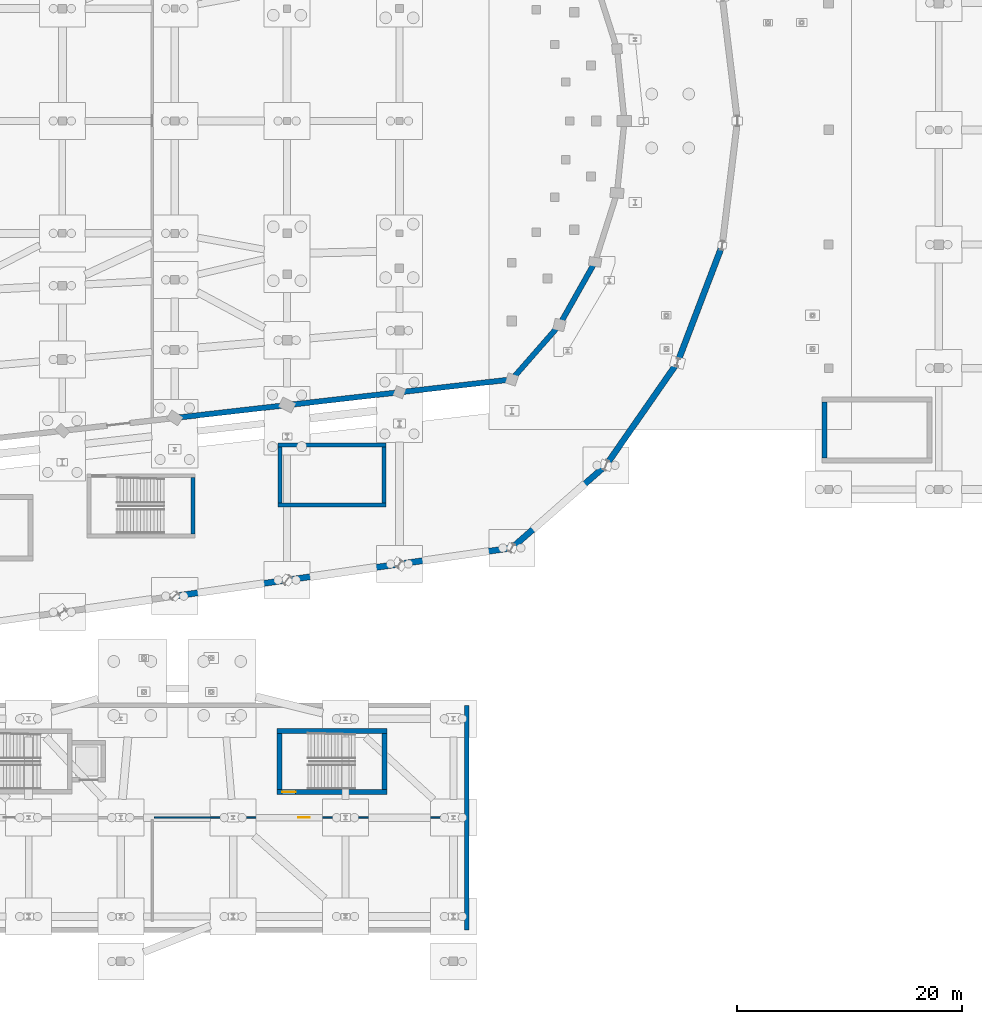
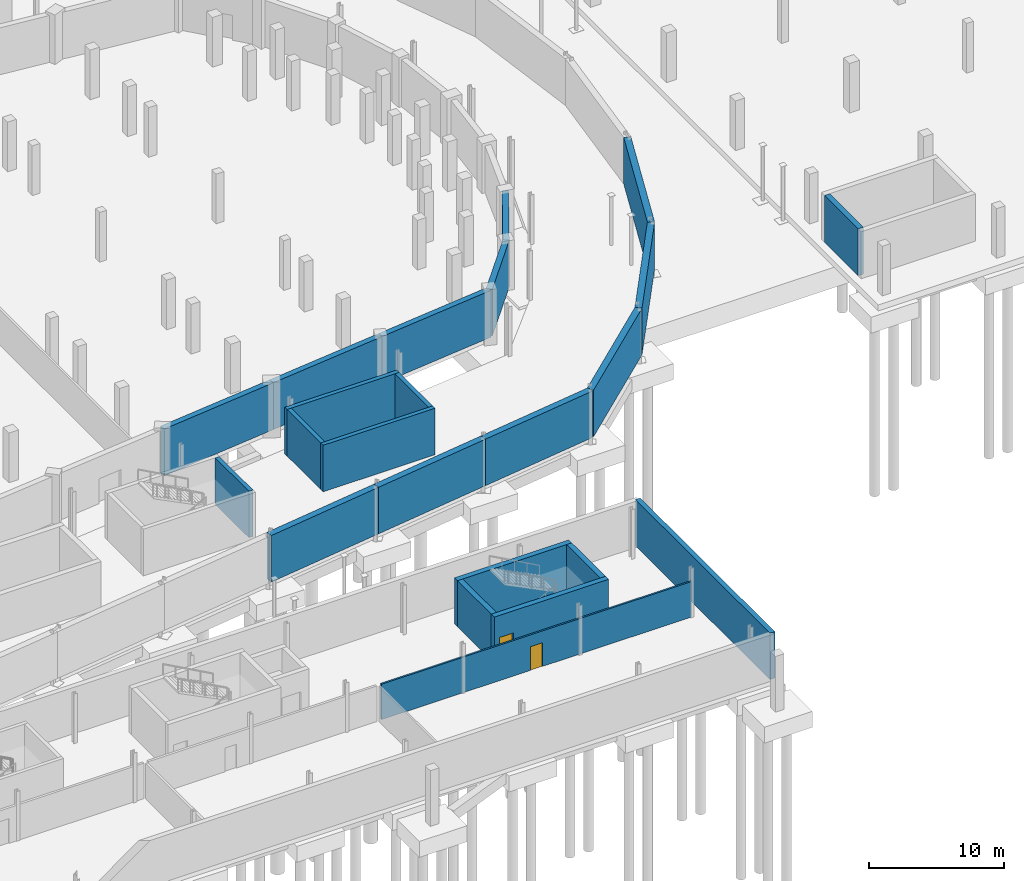
# One storey, part 49 of 55: 23 walls, 2 doors, 2 openings.
"""IFC4 building model written with IfcOpenShell, lengths in metres."""

from ifc_helpers import new_model, si_unit, direction, frame, frame_2d, origin, place, context, subcontext, project, spatial, rectangle, extrude, material, layer, layer_set, type_object, element, fill, save


model = new_model("IFC4")

# Units and contexts
model_context = context("Model", 3, precision=1e-05, world=origin(), true_north=direction((0.0, 1.0)))
body_context = subcontext(model_context, "Body", "Model", "MODEL_VIEW")
ifc_project = project(units=[si_unit("LENGTHUNIT", "METRE"), si_unit("AREAUNIT", "SQUARE_METRE"), si_unit("VOLUMEUNIT", "CUBIC_METRE"), si_unit("PLANEANGLEUNIT", "RADIAN"), si_unit("MASSUNIT", "GRAM", prefix="KILO")], contexts=[model_context])

# Site, building, storey
site_placement = place(None, origin())
site = spatial("IfcSite", under=ifc_project, at=site_placement, CompositionType="ELEMENT")
building_placement = place(site_placement, origin())
building = spatial("IfcBuilding", under=site, at=building_placement, Name="Sohan Crest Arena", CompositionType="ELEMENT")
storey_placement = place(building_placement, frame((0.0, 0.0, -4.5)))
storey = spatial("IfcBuildingStorey", under=building, at=storey_placement, Name="B1", CompositionType="ELEMENT", Elevation=-4.5)

# Wall, opening, door
ifc_material_1 = material(Name="Wet-area moisture-resistant masonry partition", Category="masonry")
ifc_layer_1 = layer(ifc_material_1, 0.14990234375, Name="Wet-area moisture-resistant masonry partition")
ifc_layer_set_1 = layer_set([ifc_layer_1], Name="Wet-area moisture-resistant masonry partition")
wall_type_1 = type_object("IfcWallType", Name="WAL-PW03", PredefinedType="PARTITIONING", material=ifc_layer_set_1)
wall_1_placement = place(storey_placement, frame((136.199951171875, 16.0, 0.0), z_axis=(0.0, 0.0, 1.0), x_axis=(1.0, 0.0, 0.0)))
wall_1 = element("IfcWall", 1, at=wall_1_placement, inside=storey, type_object=wall_type_1, Name="Interior partition wall PW-0837", PredefinedType="PARTITIONING", context=body_context, shape_type="SweptSolid", body=[
    extrude(rectangle(XDim=26.60009765625, YDim=0.14990234375, at=frame_2d((13.300048828125, 0.0))), origin(), (0.0, 0.0, 1.0), 3.219970703125),
])
opening_1_placement = place(wall_1_placement, frame((12.7900390625, 0.0, 0.0)))
opening_1 = element("IfcOpeningElement", 2, at=opening_1_placement, cuts=wall_1, Name="Opening WC-0228", PredefinedType="OPENING", context=body_context, shape_type="SweptSolid", body=[
    extrude(rectangle(XDim=1.02001953125, YDim=2.14990234375, at=frame_2d((0.510009765625, 1.074951171875))), frame((0.0, 0.0849609375, 0.0), z_axis=(0.0, -1.0, 0.0), x_axis=(1.0, 0.0, 0.0)), (0.0, 0.0, 1.0), 0.169921875),
])
ifc_material_2 = material(Name="Accessible toilet and dressing room door", Category="wood")
door_type_1 = type_object("IfcDoorType", Name="DR-ID03", OperationType="NOTDEFINED", PredefinedType="DOOR", material=ifc_material_2)
door_1_placement = place(opening_1_placement, origin())
door_1 = element("IfcDoor", 3, at=door_1_placement, inside=storey, type_object=door_type_1, Name="Accessible toilet door WC-0228", OperationType="SINGLE_SWING_LEFT", OverallHeight=2.14990234375, OverallWidth=1.02001953125, PredefinedType="DOOR", context=body_context, shape_type="SweptSolid", body=[
    extrude(rectangle(XDim=1.02001953125, YDim=2.14990234375, at=frame_2d((0.510009765625, 1.074951171875))), frame((0.0, 0.02490234375, 0.0), z_axis=(0.0, -1.0, 0.0), x_axis=(1.0, 0.0, 0.0)), (0.0, 0.0, 1.0), 0.050048828125),
])
fill(opening_1, door_1)

# Walls
ifc_material_3 = material(Name="Concrete C40/50", Category="concrete")
ifc_layer_2 = layer(ifc_material_3, 0.419921875, Name="Concrete C40/50")
ifc_layer_set_2 = layer_set([ifc_layer_2], Name="Concrete C40/50")
wall_type_2 = type_object("IfcWallType", Name="WAL-RW01", PredefinedType="USERDEFINED", material=ifc_layer_set_2)
wall_2_placement = place(storey_placement, frame((164.0, 6.0, 0.0), z_axis=(0.0, 0.0, 1.0), x_axis=(0.0, 1.0, 0.0)))
element("IfcWall", 4, at=wall_2_placement, inside=storey, type_object=wall_type_2, Name="External wall RW-036", ObjectType="RETAINING WALL", PredefinedType="USERDEFINED", context=body_context, shape_type="SweptSolid", body=[
    extrude(rectangle(XDim=20.0, YDim=0.419921875, at=frame_2d((10.0, 0.0))), origin(), (0.0, 0.0, 1.0), 4.199951171875),
])
ifc_layer_3 = layer(ifc_material_3, 0.47998046875, Name="Concrete C40/50")
ifc_layer_set_3 = layer_set([ifc_layer_3], Name="Concrete C40/50")
wall_type_3 = type_object("IfcWallType", Name="WAL-RW02", PredefinedType="USERDEFINED", material=ifc_layer_set_3)
for number, where, z_axis, x_axis, name in (
    (5, (138.0, 51.571044921875, 0.0), (0.0, 0.0, 1.0), (0.99353032697, 0.113567114035, 0.0), "External wall RW-017"),
    (6, (148.0, 52.714111328125, 0.0), (0.0, 0.0, 1.0), (0.993533063564, 0.113543170668, 0.0), "External wall RW-018"),
    (7, (158.0, 53.85693359375, 0.0), (0.0, 0.0, 1.0), (0.99353032697, 0.113567114035, 0.0), "External wall RW-019"),
):
    element("IfcWall", number, at=place(storey_placement, frame(where, z_axis=z_axis, x_axis=x_axis)), inside=storey, type_object=wall_type_3, Name=name, ObjectType="RETAINING WALL", PredefinedType="USERDEFINED", context=body_context, shape_type="SweptSolid", body=[
        extrude(rectangle(XDim=10.065185546875, YDim=0.47998046875, at=frame_2d((5.03271484375, 0.0))), origin(), (0.0, 0.0, 1.0), 4.25),
    ])
for number, where, z_axis, x_axis, name in (
    (8, (168.0, 55.0, 0.0), (0.0, 0.0, 1.0), (0.658743407002, 0.752367678553, 0.0), "External wall RW-020"),
    (9, (172.242919921875, 59.845947265625, 0.0), (0.0, 0.0, 1.0), (0.491543833039, 0.870852834985, 0.0), "External wall RW-021"),
):
    element("IfcWall", number, at=place(storey_placement, frame(where, z_axis=z_axis, x_axis=x_axis)), inside=storey, type_object=wall_type_3, Name=name, ObjectType="RETAINING WALL", PredefinedType="USERDEFINED", context=body_context, shape_type="SweptSolid", body=[
        extrude(rectangle(XDim=6.44091796875, YDim=0.47998046875, at=frame_2d((3.220458984375, 0.0))), origin(), (0.0, 0.0, 1.0), 4.25),
    ])
ifc_layer_4 = layer(ifc_material_3, 0.5400390625, Name="Concrete C40/50")
ifc_layer_set_4 = layer_set([ifc_layer_4], Name="Concrete C40/50")
wall_type_4 = type_object("IfcWallType", Name="WAL-RW03", PredefinedType="USERDEFINED", material=ifc_layer_set_4)
for number, where, z_axis, x_axis, name in (
    (10, (138.0, 35.714111328125, 0.0), (0.0, 0.0, 1.0), (0.989944175879, 0.141458575718, 0.0), "External wall RW-055"),
    (11, (148.0, 37.14306640625, 0.0), (0.0, 0.0, 1.0), (0.989957709412, 0.141363834042, 0.0), "External wall RW-056"),
    (12, (158.0, 38.571044921875, 0.0), (0.0, 0.0, 1.0), (0.989944175879, 0.141458575718, 0.0), "External wall RW-057"),
):
    element("IfcWall", number, at=place(storey_placement, frame(where, z_axis=z_axis, x_axis=x_axis)), inside=storey, type_object=wall_type_4, Name=name, ObjectType="RETAINING WALL", PredefinedType="USERDEFINED", context=body_context, shape_type="SweptSolid", body=[
        extrude(rectangle(XDim=10.1015625, YDim=0.5400390625, at=frame_2d((5.05078125, 0.0))), origin(), (0.0, 0.0, 1.0), 4.22509765625),
    ])
wall_3_placement = place(storey_placement, frame((168.0, 40.0, 0.0), z_axis=(0.0, 0.0, 1.0), x_axis=(0.751695897988, 0.659509876308, 0.0)))
element("IfcWall", 13, at=wall_3_placement, inside=storey, type_object=wall_type_4, Name="External wall RW-058", ObjectType="RETAINING WALL", PredefinedType="USERDEFINED", context=body_context, shape_type="SweptSolid", body=[
    extrude(rectangle(XDim=11.152099609375, YDim=0.5400390625, at=frame_2d((5.576171875, 0.0))), origin(), (0.0, 0.0, 1.0), 4.22509765625),
])
wall_4_placement = place(storey_placement, frame((176.383056640625, 47.35498046875, 0.0), z_axis=(0.0, 0.0, 1.0), x_axis=(0.570857282329, 0.8210493062, 0.0)))
element("IfcWall", 14, at=wall_4_placement, inside=storey, type_object=wall_type_4, Name="External wall RW-059", ObjectType="RETAINING WALL", PredefinedType="USERDEFINED", context=body_context, shape_type="SweptSolid", body=[
    extrude(rectangle(XDim=11.151611328125, YDim=0.5400390625, at=frame_2d((5.57568359375, 0.0))), origin(), (0.0, 0.0, 1.0), 4.22509765625),
])
wall_5_placement = place(storey_placement, frame((182.7490234375, 56.510986328125, 0.0), z_axis=(0.0, 0.0, 1.0), x_axis=(0.356539672716, 0.934280183767, 0.0)))
element("IfcWall", 15, at=wall_5_placement, inside=storey, type_object=wall_type_4, Name="External wall RW-060", ObjectType="RETAINING WALL", PredefinedType="USERDEFINED", context=body_context, shape_type="SweptSolid", body=[
    extrude(rectangle(XDim=11.15185546875, YDim=0.5400390625, at=frame_2d((5.575927734375, 0.0))), origin(), (0.0, 0.0, 1.0), 4.22509765625),
])
ifc_layer_5 = layer(ifc_material_3, 0.35009765625, Name="Concrete C40/50")
ifc_layer_set_5 = layer_set([ifc_layer_5], Name="Concrete C40/50")
wall_type_5 = type_object("IfcWallType", Name="WAL-SW02", PredefinedType="SHEAR", material=ifc_layer_set_5)
for number, where, z_axis, x_axis, name in (
    (16, (147.199951171875, 43.824951171875, 0.0), (0.0, 0.0, 1.0), (1.0, 0.0, 0.0), "Core shear wall SW-0409"),
    (17, (147.199951171875, 49.175048828125, 0.0), (0.0, 0.0, 1.0), (1.0, 0.0, 0.0), "Core shear wall SW-0410"),
):
    element("IfcWall", number, at=place(storey_placement, frame(where, z_axis=z_axis, x_axis=x_axis)), inside=storey, type_object=wall_type_5, Name=name, PredefinedType="SHEAR", context=body_context, shape_type="SweptSolid", body=[
        extrude(rectangle(XDim=9.60009765625, YDim=0.35009765625, at=frame_2d((4.800048828125, 0.0))), origin(), (0.0, 0.0, 1.0), 4.22509765625),
    ])
for number, where, z_axis, x_axis, name in (
    (18, (147.375, 44.0, 0.0), (0.0, 0.0, 1.0), (0.0, 1.0, 0.0), "Core shear wall SW-0411"),
    (19, (156.625, 44.0, 0.0), (0.0, 0.0, 1.0), (0.0, 1.0, 0.0), "Core shear wall SW-0412"),
    (20, (139.625, 41.25, 0.0), (0.0, 0.0, 1.0), (0.0, 1.0, 0.0), "Core shear wall SW-0782"),
):
    element("IfcWall", number, at=place(storey_placement, frame(where, z_axis=z_axis, x_axis=x_axis)), inside=storey, type_object=wall_type_5, Name=name, PredefinedType="SHEAR", context=body_context, shape_type="SweptSolid", body=[
        extrude(rectangle(XDim=5.0, YDim=0.35009765625, at=frame_2d((2.5, 0.0))), origin(), (0.0, 0.0, 1.0), 4.22509765625),
    ])
ifc_layer_6 = layer(ifc_material_3, 0.449951171875, Name="Concrete C40/50")
ifc_layer_set_6 = layer_set([ifc_layer_6], Name="Concrete C40/50")
wall_type_6 = type_object("IfcWallType", Name="WAL-SW04", PredefinedType="SHEAR", material=ifc_layer_set_6)
for number, where, z_axis, x_axis, name in (
    (21, (147.324951171875, 18.5, 0.0), (0.0, 0.0, 1.0), (0.0, 1.0, 0.0), "Core shear wall SW-0487"),
    (22, (156.675048828125, 18.5, 0.0), (0.0, 0.0, 1.0), (0.0, 1.0, 0.0), "Core shear wall SW-0488"),
):
    element("IfcWall", number, at=place(storey_placement, frame(where, z_axis=z_axis, x_axis=x_axis)), inside=storey, type_object=wall_type_6, Name=name, PredefinedType="SHEAR", context=body_context, shape_type="SweptSolid", body=[
        extrude(rectangle(XDim=5.0, YDim=0.449951171875, at=frame_2d((2.5, 0.0))), origin(), (0.0, 0.0, 1.0), 4.199951171875),
    ])

# Wall, opening, door
wall_6_placement = place(storey_placement, frame((147.10009765625, 18.27490234375, 0.0), z_axis=(0.0, 0.0, 1.0), x_axis=(1.0, 0.0, 0.0)))
wall_6 = element("IfcWall", 23, at=wall_6_placement, inside=storey, type_object=wall_type_6, Name="Core shear wall SW-0489", PredefinedType="SHEAR", context=body_context, shape_type="SweptSolid", body=[
    extrude(rectangle(XDim=9.7998046875, YDim=0.449951171875, at=frame_2d((4.89990234375, 0.0))), origin(), (0.0, 0.0, 1.0), 4.199951171875),
])
opening_2_placement = place(wall_6_placement, frame((0.449951171875, 0.0, 0.0)))
opening_2 = element("IfcOpeningElement", 24, at=opening_2_placement, cuts=wall_6, Name="Opening SD-0135", PredefinedType="OPENING", context=body_context, shape_type="SweptSolid", body=[
    extrude(rectangle(XDim=1.199951171875, YDim=2.199951171875, at=frame_2d((0.60009765625, 1.10009765625))), frame((0.0, 0.23486328125, 0.0), z_axis=(0.0, -1.0, 0.0), x_axis=(1.0, 0.0, 0.0)), (0.0, 0.0, 1.0), 0.469970703125),
])
ifc_material_4 = material(Name="Fire-rated steel stair and lobby door", Category="steel")
door_type_2 = type_object("IfcDoorType", Name="DR-FD04", OperationType="NOTDEFINED", PredefinedType="DOOR", material=ifc_material_4)
door_2_placement = place(opening_2_placement, frame((1.199951171875, 0.0, 0.0), z_axis=(0.0, 0.0, 1.0), x_axis=(-1.0, 0.0, 0.0)))
door_2 = element("IfcDoor", 25, at=door_2_placement, inside=storey, type_object=door_type_2, Name="Protected stair door SD-0135", OperationType="SINGLE_SWING_LEFT", OverallHeight=2.199951171875, OverallWidth=1.199951171875, PredefinedType="DOOR", context=body_context, shape_type="SweptSolid", body=[
    extrude(rectangle(XDim=1.199951171875, YDim=2.199951171875, at=frame_2d((0.60009765625, 1.10009765625))), frame((0.0, 0.02490234375, 0.0), z_axis=(0.0, -1.0, 0.0), x_axis=(1.0, 0.0, 0.0)), (0.0, 0.0, 1.0), 0.050048828125),
])
fill(opening_2, door_2)

# Walls
wall_7_placement = place(storey_placement, frame((147.10009765625, 23.72509765625, 0.0), z_axis=(0.0, 0.0, 1.0), x_axis=(1.0, 0.0, 0.0)))
element("IfcWall", 26, at=wall_7_placement, inside=storey, type_object=wall_type_6, Name="Core shear wall SW-0490", PredefinedType="SHEAR", context=body_context, shape_type="SweptSolid", body=[
    extrude(rectangle(XDim=9.7998046875, YDim=0.449951171875, at=frame_2d((4.89990234375, 0.0))), origin(), (0.0, 0.0, 1.0), 4.199951171875),
])
wall_8_placement = place(storey_placement, frame((195.824951171875, 48.0, 0.0), z_axis=(0.0, 0.0, 1.0), x_axis=(0.0, 1.0, 0.0)))
element("IfcWall", 27, at=wall_8_placement, inside=storey, type_object=wall_type_6, Name="Core shear wall SW-0587", PredefinedType="SHEAR", context=body_context, shape_type="SweptSolid", body=[
    extrude(rectangle(XDim=5.0, YDim=0.449951171875, at=frame_2d((2.5, 0.0))), origin(), (0.0, 0.0, 1.0), 4.27001953125),
])

save(model, "model.ifc")
